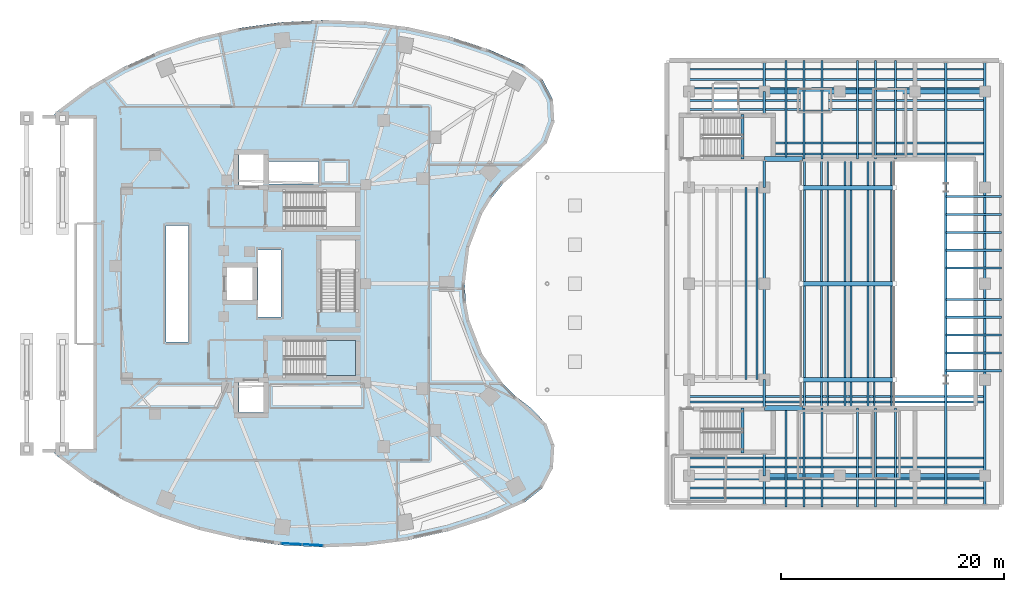
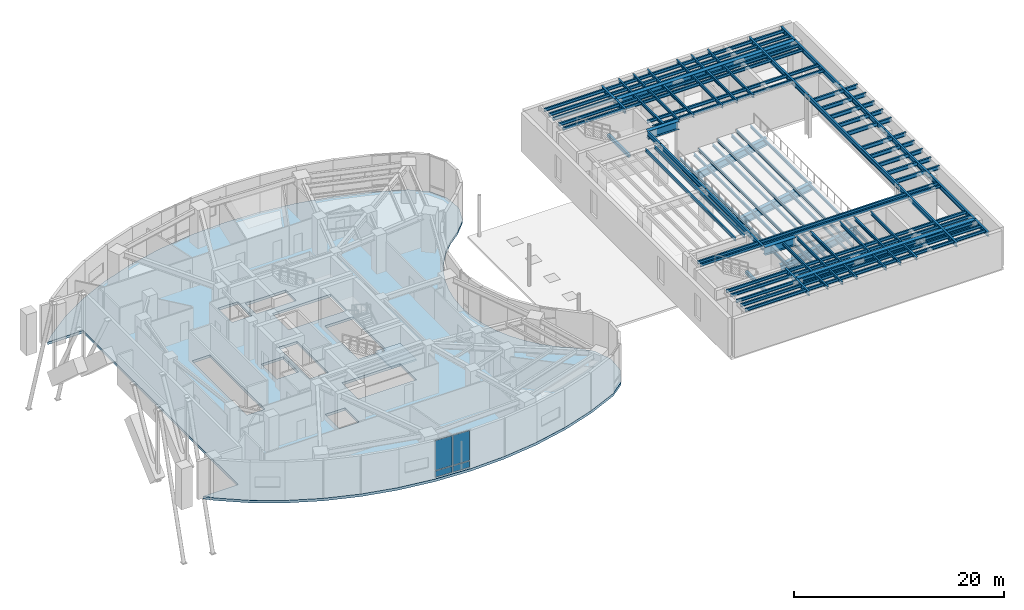
# One storey, part 10 of 24: 72 beams, 4 plates, 2 slabs, 2 elements without a shape of their own.
"""IFC4 building model written with IfcOpenShell, lengths in metres."""

from ifc_helpers import new_model, si_unit, direction, frame, origin, origin_2d, place, context, subcontext, project, spatial, polyline, rectangle, i_section, outline, extrude, material, layer, layer_set, material_profile, profile_set, type_object, element, aggregate, save


model = new_model("IFC4")

# Units and contexts
model_context = context("Model", 3, precision=1e-05, world=origin(), true_north=direction((0.0, 1.0)))
body_context = subcontext(model_context, "Body", "Model", "MODEL_VIEW")
ifc_project = project(units=[si_unit("LENGTHUNIT", "METRE"), si_unit("AREAUNIT", "SQUARE_METRE"), si_unit("VOLUMEUNIT", "CUBIC_METRE"), si_unit("PLANEANGLEUNIT", "RADIAN"), si_unit("MASSUNIT", "GRAM", prefix="KILO")], contexts=[model_context])

# Site, building, storey
site_placement = place(None, origin())
site = spatial("IfcSite", under=ifc_project, at=site_placement, CompositionType="ELEMENT")
building_placement = place(site_placement, origin())
building = spatial("IfcBuilding", under=site, at=building_placement, Name="Korentha Bioscience Tower", CompositionType="ELEMENT")
storey_placement = place(building_placement, frame((0.0, 0.0, 10.199951171875)))
storey = spatial("IfcBuildingStorey", under=building, at=storey_placement, Name="L02", CompositionType="ELEMENT", Elevation=10.199951171875)

# Beams
ifc_material_1 = material(Name="Steel S355", Category="steel")
ifc_material_profile_1 = material_profile(ifc_material_1, i_section(OverallWidth=0.166015625, OverallDepth=0.31298828125, WebThickness=0.006591796875, FlangeThickness=0.01123046875, at=origin_2d()), Name="Steel S355")
ifc_profile_set_1 = profile_set([ifc_material_profile_1], Name="Steel S355 (TS-310)")
beam_type_1 = type_object("IfcBeamType", Name="Auditorium Tier Stringer Beam W310x44.5", PredefinedType="BEAM", material=ifc_profile_set_1)
for number, where, z_axis, x_axis, name in (
    (1, (76.85009765625, 15.85009765625, -0.056396484375), (0.0, 1.0, 0.0), (-1.0, 0.0, 0.0), "L02 Tier Stringer Beam 1F"),
    (2, (78.3798828125, 15.85009765625, -0.056396484375), (0.0, 1.0, 0.0), (-1.0, 0.0, 0.0), "L02 Tier Stringer Beam 1B"),
    (3, (78.929931640625, 15.85009765625, 0.303466796875), (0.0, 1.0, 0.0), (-1.0, 0.0, 0.0), "L02 Tier Stringer Beam 2F"),
    (4, (80.4599609375, 15.85009765625, 0.303466796875), (0.0, 1.0, 0.0), (-1.0, 0.0, 0.0), "L02 Tier Stringer Beam 2B"),
    (5, (81.010009765625, 15.85009765625, 0.66357421875), (0.0, 1.0, 0.0), (-1.0, 0.0, 0.0), "L02 Tier Stringer Beam 3F"),
    (6, (82.5400390625, 15.85009765625, 0.66357421875), (0.0, 1.0, 0.0), (-1.0, 0.0, 0.0), "L02 Tier Stringer Beam 3B"),
    (7, (83.090087890625, 15.85009765625, 1.0234375), (0.0, 1.0, 0.0), (-1.0, 0.0, 0.0), "L02 Tier Stringer Beam 4F"),
    (8, (84.6201171875, 15.85009765625, 1.0234375), (0.0, 1.0, 0.0), (-1.0, 0.0, 0.0), "L02 Tier Stringer Beam 4B"),
):
    element("IfcBeam", number, at=place(storey_placement, frame(where, z_axis=z_axis, x_axis=x_axis)), inside=storey, type_object=beam_type_1, Name=name, PredefinedType="BEAM", context=body_context, shape_type="SweptSolid", body=[
        extrude(i_section(OverallWidth=0.166015625, OverallDepth=0.31298828125, WebThickness=0.006591796875, FlangeThickness=0.01123046875, at=origin_2d()), origin(), (0.0, 0.0, 1.0), 22.2998046875),
    ])
ifc_material_2 = material(Name="Concrete C50", Category="concrete")
ifc_material_profile_2 = material_profile(ifc_material_2, rectangle(XDim=0.280029296875, YDim=0.3798828125, at=origin_2d()), Name="Concrete C50")
ifc_profile_set_2 = profile_set([ifc_material_profile_2], Name="Concrete C50 (ST-HB380)")
beam_type_2 = type_object("IfcBeamType", Name="Concrete Stair Header Beam RC 280x380", PredefinedType="BEAM", material=ifc_profile_set_2)
for number, where, z_axis, x_axis, name in (
    (9, (71.2900390625, 11.85009765625, 2.2099609375), (0.0, 1.0, 0.0), (-1.0, 0.0, 0.0), "L02 ST-T1 Half-Landing Header Beam 1"),
    (10, (71.2900390625, 38.14990234375, 2.2099609375), (0.0, 1.0, 0.0), (-1.0, 0.0, 0.0), "L02 ST-T2 Half-Landing Header Beam 1"),
):
    element("IfcBeam", number, at=place(storey_placement, frame(where, z_axis=z_axis, x_axis=x_axis)), inside=storey, type_object=beam_type_2, Name=name, PredefinedType="BEAM", context=body_context, shape_type="SweptSolid", body=[
        extrude(rectangle(XDim=0.280029296875, YDim=0.3798828125, at=origin_2d()), origin(), (0.0, 0.0, 1.0), 4.0),
    ])
ifc_material_profile_3 = material_profile(ifc_material_1, i_section(OverallWidth=0.208984375, OverallDepth=0.532958984375, WebThickness=0.01025390625, FlangeThickness=0.015625, at=origin_2d()), Name="Steel S355")
ifc_profile_set_3 = profile_set([ifc_material_profile_3], Name="Steel S355 (SB-530)")
beam_type_3 = type_object("IfcBeamType", Name="Perimeter Ring Spandrel Girder W530x92", PredefinedType="SPANDREL", material=ifc_profile_set_3)
beam_1_placement = place(storey_placement, frame((73.25, 7.2099609375, 4.233642578125), z_axis=(0.0, 1.0, 0.0), x_axis=(-1.0, 0.0, 0.0)))
element("IfcBeam", 11, at=beam_1_placement, inside=storey, type_object=beam_type_3, Name="L02 Theatre Collector Girder 2-1", PredefinedType="SPANDREL", context=body_context, shape_type="SweptSolid", body=[
    extrude(i_section(OverallWidth=0.208984375, OverallDepth=0.532958984375, WebThickness=0.01025390625, FlangeThickness=0.015625, at=origin_2d()), origin(), (0.0, 0.0, 1.0), 2.590087890625),
])
beam_2_placement = place(storey_placement, frame((73.25, 9.800048828125, 4.233642578125), z_axis=(0.0, 1.0, 0.0), x_axis=(-1.0, 0.0, 0.0)))
element("IfcBeam", 12, at=beam_2_placement, inside=storey, type_object=beam_type_3, Name="L02 Theatre Collector Girder 2-2", PredefinedType="SPANDREL", context=body_context, shape_type="SweptSolid", body=[
    extrude(i_section(OverallWidth=0.208984375, OverallDepth=0.532958984375, WebThickness=0.01025390625, FlangeThickness=0.015625, at=origin_2d()), origin(), (0.0, 0.0, 1.0), 1.949951171875),
])
beam_3_placement = place(storey_placement, frame((73.25, 15.949951171875, 4.233642578125), z_axis=(0.0, 1.0, 0.0), x_axis=(-1.0, 0.0, 0.0)))
element("IfcBeam", 13, at=beam_3_placement, inside=storey, type_object=beam_type_3, Name="L02 Theatre Collector Girder 2-3", PredefinedType="SPANDREL", context=body_context, shape_type="SweptSolid", body=[
    extrude(i_section(OverallWidth=0.208984375, OverallDepth=0.532958984375, WebThickness=0.01025390625, FlangeThickness=0.015625, at=origin_2d()), origin(), (0.0, 0.0, 1.0), 2.449951171875),
])
for number, where, z_axis, x_axis, name in (
    (14, (73.25, 18.39990234375, 4.233642578125), (0.0, 1.0, 0.0), (-1.0, 0.0, 0.0), "L02 Theatre Collector Girder 2-4"),
    (15, (73.25, 27.0, 4.233642578125), (0.0, 1.0, 0.0), (-1.0, 0.0, 0.0), "L02 Theatre Collector Girder 2-5"),
):
    element("IfcBeam", number, at=place(storey_placement, frame(where, z_axis=z_axis, x_axis=x_axis)), inside=storey, type_object=beam_type_3, Name=name, PredefinedType="SPANDREL", context=body_context, shape_type="SweptSolid", body=[
        extrude(i_section(OverallWidth=0.208984375, OverallDepth=0.532958984375, WebThickness=0.01025390625, FlangeThickness=0.015625, at=origin_2d()), origin(), (0.0, 0.0, 1.0), 8.60009765625),
    ])
beam_4_placement = place(storey_placement, frame((73.25, 35.60009765625, 4.233642578125), z_axis=(0.0, 1.0, 0.0), x_axis=(-1.0, 0.0, 0.0)))
element("IfcBeam", 16, at=beam_4_placement, inside=storey, type_object=beam_type_3, Name="L02 Theatre Collector Girder 2-6", PredefinedType="SPANDREL", context=body_context, shape_type="SweptSolid", body=[
    extrude(i_section(OverallWidth=0.208984375, OverallDepth=0.532958984375, WebThickness=0.01025390625, FlangeThickness=0.015625, at=origin_2d()), origin(), (0.0, 0.0, 1.0), 2.449951171875),
])
beam_5_placement = place(storey_placement, frame((73.25, 42.25, 4.233642578125), z_axis=(0.0, 1.0, 0.0), x_axis=(-1.0, 0.0, 0.0)))
element("IfcBeam", 17, at=beam_5_placement, inside=storey, type_object=beam_type_3, Name="L02 Theatre Collector Girder 2-7", PredefinedType="SPANDREL", context=body_context, shape_type="SweptSolid", body=[
    extrude(i_section(OverallWidth=0.208984375, OverallDepth=0.532958984375, WebThickness=0.01025390625, FlangeThickness=0.015625, at=origin_2d()), origin(), (0.0, 0.0, 1.0), 1.949951171875),
])
beam_6_placement = place(storey_placement, frame((73.25, 44.199951171875, 4.233642578125), z_axis=(0.0, 1.0, 0.0), x_axis=(-1.0, 0.0, 0.0)))
element("IfcBeam", 18, at=beam_6_placement, inside=storey, type_object=beam_type_3, Name="L02 Theatre Collector Girder 2-8", PredefinedType="SPANDREL", context=body_context, shape_type="SweptSolid", body=[
    extrude(i_section(OverallWidth=0.208984375, OverallDepth=0.532958984375, WebThickness=0.01025390625, FlangeThickness=0.015625, at=origin_2d()), origin(), (0.0, 0.0, 1.0), 2.590087890625),
])
beam_7_placement = place(storey_placement, frame((89.5, 7.2099609375, 4.233642578125), z_axis=(0.0, 1.0, 0.0), x_axis=(-1.0, 0.0, 0.0)))
element("IfcBeam", 19, at=beam_7_placement, inside=storey, type_object=beam_type_3, Name="L02 Theatre Collector Girder 3-1", PredefinedType="SPANDREL", context=body_context, shape_type="SweptSolid", body=[
    extrude(i_section(OverallWidth=0.208984375, OverallDepth=0.532958984375, WebThickness=0.01025390625, FlangeThickness=0.015625, at=origin_2d()), origin(), (0.0, 0.0, 1.0), 11.18994140625),
])
beam_8_placement = place(storey_placement, frame((89.5, 18.39990234375, 4.233642578125), z_axis=(0.0, 1.0, 0.0), x_axis=(-1.0, 0.0, 0.0)))
element("IfcBeam", 20, at=beam_8_placement, inside=storey, type_object=beam_type_3, Name="L02 Theatre Collector Girder 3-2", PredefinedType="SPANDREL", context=body_context, shape_type="SweptSolid", body=[
    extrude(i_section(OverallWidth=0.208984375, OverallDepth=0.532958984375, WebThickness=0.01025390625, FlangeThickness=0.015625, at=origin_2d()), origin(), (0.0, 0.0, 1.0), 17.2001953125),
])
beam_9_placement = place(storey_placement, frame((89.5, 35.60009765625, 4.233642578125), z_axis=(0.0, 1.0, 0.0), x_axis=(-1.0, 0.0, 0.0)))
element("IfcBeam", 21, at=beam_9_placement, inside=storey, type_object=beam_type_3, Name="L02 Theatre Collector Girder 3-3", PredefinedType="SPANDREL", context=body_context, shape_type="SweptSolid", body=[
    extrude(i_section(OverallWidth=0.208984375, OverallDepth=0.532958984375, WebThickness=0.01025390625, FlangeThickness=0.015625, at=origin_2d()), origin(), (0.0, 0.0, 1.0), 11.18994140625),
])
beam_10_placement = place(storey_placement, frame((93.0, 7.2099609375, 4.233642578125), z_axis=(0.0, 1.0, 0.0), x_axis=(-1.0, 0.0, 0.0)))
element("IfcBeam", 22, at=beam_10_placement, inside=storey, type_object=beam_type_3, Name="L02 Theatre Collector Girder 4-1", PredefinedType="SPANDREL", context=body_context, shape_type="SweptSolid", body=[
    extrude(i_section(OverallWidth=0.208984375, OverallDepth=0.532958984375, WebThickness=0.01025390625, FlangeThickness=0.015625, at=origin_2d()), origin(), (0.0, 0.0, 1.0), 2.590087890625),
])
beam_11_placement = place(storey_placement, frame((93.0, 9.800048828125, 4.233642578125), z_axis=(0.0, 1.0, 0.0), x_axis=(-1.0, 0.0, 0.0)))
element("IfcBeam", 23, at=beam_11_placement, inside=storey, type_object=beam_type_3, Name="L02 Theatre Collector Girder 4-2", PredefinedType="SPANDREL", context=body_context, shape_type="SweptSolid", body=[
    extrude(i_section(OverallWidth=0.208984375, OverallDepth=0.532958984375, WebThickness=0.01025390625, FlangeThickness=0.015625, at=origin_2d()), origin(), (0.0, 0.0, 1.0), 8.599853515625),
])
for number, where, z_axis, x_axis, name in (
    (24, (93.0, 18.39990234375, 4.233642578125), (0.0, 1.0, 0.0), (-1.0, 0.0, 0.0), "L02 Theatre Collector Girder 4-3"),
    (25, (93.0, 27.0, 4.233642578125), (0.0, 1.0, 0.0), (-1.0, 0.0, 0.0), "L02 Theatre Collector Girder 4-4"),
):
    element("IfcBeam", number, at=place(storey_placement, frame(where, z_axis=z_axis, x_axis=x_axis)), inside=storey, type_object=beam_type_3, Name=name, PredefinedType="SPANDREL", context=body_context, shape_type="SweptSolid", body=[
        extrude(i_section(OverallWidth=0.208984375, OverallDepth=0.532958984375, WebThickness=0.01025390625, FlangeThickness=0.015625, at=origin_2d()), origin(), (0.0, 0.0, 1.0), 8.60009765625),
    ])
beam_12_placement = place(storey_placement, frame((93.0, 35.60009765625, 4.233642578125), z_axis=(0.0, 1.0, 0.0), x_axis=(-1.0, 0.0, 0.0)))
element("IfcBeam", 26, at=beam_12_placement, inside=storey, type_object=beam_type_3, Name="L02 Theatre Collector Girder 4-5", PredefinedType="SPANDREL", context=body_context, shape_type="SweptSolid", body=[
    extrude(i_section(OverallWidth=0.208984375, OverallDepth=0.532958984375, WebThickness=0.01025390625, FlangeThickness=0.015625, at=origin_2d()), origin(), (0.0, 0.0, 1.0), 8.599853515625),
])
beam_13_placement = place(storey_placement, frame((93.0, 44.199951171875, 4.233642578125), z_axis=(0.0, 1.0, 0.0), x_axis=(-1.0, 0.0, 0.0)))
element("IfcBeam", 27, at=beam_13_placement, inside=storey, type_object=beam_type_3, Name="L02 Theatre Collector Girder 4-6", PredefinedType="SPANDREL", context=body_context, shape_type="SweptSolid", body=[
    extrude(i_section(OverallWidth=0.208984375, OverallDepth=0.532958984375, WebThickness=0.01025390625, FlangeThickness=0.015625, at=origin_2d()), origin(), (0.0, 0.0, 1.0), 2.590087890625),
])
ifc_material_profile_4 = material_profile(ifc_material_1, i_section(OverallWidth=0.18994140625, OverallDepth=0.45703125, WebThickness=0.009033203125, FlangeThickness=0.014404296875, at=origin_2d()), Name="Steel S355")
ifc_profile_set_4 = profile_set([ifc_material_profile_4], Name="Steel S355 (RB-460)")
beam_type_4 = type_object("IfcBeamType", Name="Radial Laboratory Beam W460x74", PredefinedType="BEAM", material=ifc_profile_set_4)
for number, where, z_axis, x_axis, name in (
    (28, (89.5, 19.199951171875, 4.271484375), (1.0, 0.0, 0.0), (0.0, 1.0, 0.0), "L02 Stage Fly-Tower Girder 01"),
    (29, (89.5, 20.800048828125, 4.271484375), (1.0, 0.0, 0.0), (0.0, 1.0, 0.0), "L02 Stage Fly-Tower Girder 02"),
    (30, (89.5, 22.39990234375, 4.271484375), (1.0, 0.0, 0.0), (0.0, 1.0, 0.0), "L02 Stage Fly-Tower Girder 03"),
    (31, (89.5, 24.0, 4.271484375), (1.0, 0.0, 0.0), (0.0, 1.0, 0.0), "L02 Stage Fly-Tower Girder 04"),
    (32, (89.5, 25.60009765625, 4.271484375), (1.0, 0.0, 0.0), (0.0, 1.0, 0.0), "L02 Stage Fly-Tower Girder 05"),
    (33, (89.5, 28.39990234375, 4.271484375), (1.0, 0.0, 0.0), (0.0, 1.0, 0.0), "L02 Stage Fly-Tower Girder 06"),
    (34, (89.5, 30.0, 4.271484375), (1.0, 0.0, 0.0), (0.0, 1.0, 0.0), "L02 Stage Fly-Tower Girder 07"),
    (35, (89.5, 31.60009765625, 4.271484375), (1.0, 0.0, 0.0), (0.0, 1.0, 0.0), "L02 Stage Fly-Tower Girder 08"),
    (36, (89.5, 33.199951171875, 4.271484375), (1.0, 0.0, 0.0), (0.0, 1.0, 0.0), "L02 Stage Fly-Tower Girder 09"),
    (37, (89.5, 34.800048828125, 4.271484375), (1.0, 0.0, 0.0), (0.0, 1.0, 0.0), "L02 Stage Fly-Tower Girder 10"),
):
    element("IfcBeam", number, at=place(storey_placement, frame(where, z_axis=z_axis, x_axis=x_axis)), inside=storey, type_object=beam_type_4, Name=name, PredefinedType="BEAM", context=body_context, shape_type="SweptSolid", body=[
        extrude(i_section(OverallWidth=0.18994140625, OverallDepth=0.45703125, WebThickness=0.009033203125, FlangeThickness=0.014404296875, at=origin_2d()), origin(), (0.0, 0.0, 1.0), 5.0),
    ])
ifc_material_profile_5 = material_profile(ifc_material_1, i_section(OverallWidth=0.1708984375, OverallDepth=0.35498046875, WebThickness=0.007080078125, FlangeThickness=0.01171875, at=origin_2d()), Name="Steel S355")
ifc_profile_set_5 = profile_set([ifc_material_profile_5], Name="Steel S355 (JB-360)")
beam_type_5 = type_object("IfcBeamType", Name="Secondary Laboratory Joist W360x51", PredefinedType="JOIST", material=ifc_profile_set_5)
for number, where, z_axis, x_axis, name in (
    (38, (66.5, 7.800048828125, 4.322509765625), (1.0, 0.0, 0.0), (0.0, 1.0, 0.0), "L02 Theatre Wing Secondary Joist 01"),
    (39, (66.5, 8.699951171875, 4.322509765625), (1.0, 0.0, 0.0), (0.0, 1.0, 0.0), "L02 Theatre Wing Secondary Joist 02"),
    (40, (66.5, 9.5, 4.322509765625), (1.0, 0.0, 0.0), (0.0, 1.0, 0.0), "L02 Theatre Wing Secondary Joist 03"),
    (41, (66.5, 10.60009765625, 4.322509765625), (1.0, 0.0, 0.0), (0.0, 1.0, 0.0), "L02 Theatre Wing Secondary Joist 04"),
    (42, (66.5, 11.39990234375, 4.322509765625), (1.0, 0.0, 0.0), (0.0, 1.0, 0.0), "L02 Theatre Wing Secondary Joist 05"),
    (43, (66.5, 16.39990234375, 4.322509765625), (1.0, 0.0, 0.0), (0.0, 1.0, 0.0), "L02 Theatre Wing Secondary Joist 06"),
    (44, (66.5, 16.89990234375, 4.322509765625), (1.0, 0.0, 0.0), (0.0, 1.0, 0.0), "L02 Theatre Wing Secondary Joist 07"),
):
    element("IfcBeam", number, at=place(storey_placement, frame(where, z_axis=z_axis, x_axis=x_axis)), inside=storey, type_object=beam_type_5, Name=name, PredefinedType="JOIST", context=body_context, shape_type="SweptSolid", body=[
        extrude(i_section(OverallWidth=0.1708984375, OverallDepth=0.35498046875, WebThickness=0.007080078125, FlangeThickness=0.01171875, at=origin_2d()), origin(), (0.0, 0.0, 1.0), 26.5),
    ])
for number, where, z_axis, x_axis, name in (
    (45, (74.0400390625, 38.60009765625, 4.322509765625), (1.0, 0.0, 0.0), (0.0, 1.0, 0.0), "L02 Theatre Wing Secondary Joist 08"),
    (46, (74.0400390625, 39.60009765625, 4.322509765625), (1.0, 0.0, 0.0), (0.0, 1.0, 0.0), "L02 Theatre Wing Secondary Joist 09"),
):
    element("IfcBeam", number, at=place(storey_placement, frame(where, z_axis=z_axis, x_axis=x_axis)), inside=storey, type_object=beam_type_5, Name=name, PredefinedType="JOIST", context=body_context, shape_type="SweptSolid", body=[
        extrude(i_section(OverallWidth=0.1708984375, OverallDepth=0.35498046875, WebThickness=0.007080078125, FlangeThickness=0.01171875, at=origin_2d()), origin(), (0.0, 0.0, 1.0), 18.9599609375),
    ])
for number, where, z_axis, x_axis, name in (
    (47, (66.5, 42.60009765625, 4.322509765625), (1.0, 0.0, 0.0), (0.0, 1.0, 0.0), "L02 Theatre Wing Secondary Joist 10"),
    (48, (66.5, 43.39990234375, 4.322509765625), (1.0, 0.0, 0.0), (0.0, 1.0, 0.0), "L02 Theatre Wing Secondary Joist 11"),
    (49, (66.5, 44.5, 4.322509765625), (1.0, 0.0, 0.0), (0.0, 1.0, 0.0), "L02 Theatre Wing Secondary Joist 12"),
    (50, (66.5, 45.300048828125, 4.322509765625), (1.0, 0.0, 0.0), (0.0, 1.0, 0.0), "L02 Theatre Wing Secondary Joist 13"),
    (51, (66.5, 46.199951171875, 4.322509765625), (1.0, 0.0, 0.0), (0.0, 1.0, 0.0), "L02 Theatre Wing Secondary Joist 14"),
):
    element("IfcBeam", number, at=place(storey_placement, frame(where, z_axis=z_axis, x_axis=x_axis)), inside=storey, type_object=beam_type_5, Name=name, PredefinedType="JOIST", context=body_context, shape_type="SweptSolid", body=[
        extrude(i_section(OverallWidth=0.1708984375, OverallDepth=0.35498046875, WebThickness=0.007080078125, FlangeThickness=0.01171875, at=origin_2d()), origin(), (0.0, 0.0, 1.0), 26.5),
    ])
for number, where, z_axis, x_axis, name in (
    (52, (71.60009765625, 18.39990234375, 4.322509765625), (0.0, 1.0, 0.0), (-1.0, 0.0, 0.0), "L02 Theatre Foyer Longitudinal Joist 04"),
    (53, (72.60009765625, 18.39990234375, 4.322509765625), (0.0, 1.0, 0.0), (-1.0, 0.0, 0.0), "L02 Theatre Foyer Longitudinal Joist 05"),
):
    element("IfcBeam", number, at=place(storey_placement, frame(where, z_axis=z_axis, x_axis=x_axis)), inside=storey, type_object=beam_type_5, Name=name, PredefinedType="JOIST", context=body_context, shape_type="SweptSolid", body=[
        extrude(i_section(OverallWidth=0.1708984375, OverallDepth=0.35498046875, WebThickness=0.007080078125, FlangeThickness=0.01171875, at=origin_2d()), origin(), (0.0, 0.0, 1.0), 17.2001953125),
    ])
for number, where, z_axis, x_axis, name in (
    (54, (75.199951171875, 7.0, 4.322509765625), (0.0, 1.0, 0.0), (-1.0, 0.0, 0.0), "L02 South Wing Longitudinal Joist 06"),
    (55, (75.199951171875, 38.340087890625, 4.322509765625), (0.0, 1.0, 0.0), (-1.0, 0.0, 0.0), "L02 North Wing Longitudinal Joist 06"),
):
    element("IfcBeam", number, at=place(storey_placement, frame(where, z_axis=z_axis, x_axis=x_axis)), inside=storey, type_object=beam_type_5, Name=name, PredefinedType="JOIST", context=body_context, shape_type="SweptSolid", body=[
        extrude(i_section(OverallWidth=0.1708984375, OverallDepth=0.35498046875, WebThickness=0.007080078125, FlangeThickness=0.01171875, at=origin_2d()), origin(), (0.0, 0.0, 1.0), 8.659912109375),
    ])
for number, where, z_axis, x_axis, name in (
    (56, (76.800048828125, 7.0, 4.322509765625), (0.0, 1.0, 0.0), (-1.0, 0.0, 0.0), "L02 South Wing Longitudinal Joist 07"),
    (57, (76.800048828125, 38.14990234375, 4.322509765625), (0.0, 1.0, 0.0), (-1.0, 0.0, 0.0), "L02 North Wing Longitudinal Joist 07"),
    (58, (78.39990234375, 7.0, 4.322509765625), (0.0, 1.0, 0.0), (-1.0, 0.0, 0.0), "L02 South Wing Longitudinal Joist 08"),
    (59, (78.39990234375, 38.14990234375, 4.322509765625), (0.0, 1.0, 0.0), (-1.0, 0.0, 0.0), "L02 North Wing Longitudinal Joist 08"),
    (60, (81.60009765625, 7.0, 4.322509765625), (0.0, 1.0, 0.0), (-1.0, 0.0, 0.0), "L02 South Wing Longitudinal Joist 09"),
    (61, (81.60009765625, 38.14990234375, 4.322509765625), (0.0, 1.0, 0.0), (-1.0, 0.0, 0.0), "L02 North Wing Longitudinal Joist 09"),
    (62, (83.199951171875, 7.0, 4.322509765625), (0.0, 1.0, 0.0), (-1.0, 0.0, 0.0), "L02 South Wing Longitudinal Joist 10"),
    (63, (83.199951171875, 38.14990234375, 4.322509765625), (0.0, 1.0, 0.0), (-1.0, 0.0, 0.0), "L02 North Wing Longitudinal Joist 10"),
    (64, (85.0, 7.0, 4.322509765625), (0.0, 1.0, 0.0), (-1.0, 0.0, 0.0), "L02 South Wing Longitudinal Joist 11"),
    (65, (85.0, 38.14990234375, 4.322509765625), (0.0, 1.0, 0.0), (-1.0, 0.0, 0.0), "L02 North Wing Longitudinal Joist 11"),
):
    element("IfcBeam", number, at=place(storey_placement, frame(where, z_axis=z_axis, x_axis=x_axis)), inside=storey, type_object=beam_type_5, Name=name, PredefinedType="JOIST", context=body_context, shape_type="SweptSolid", body=[
        extrude(i_section(OverallWidth=0.1708984375, OverallDepth=0.35498046875, WebThickness=0.007080078125, FlangeThickness=0.01171875, at=origin_2d()), origin(), (0.0, 0.0, 1.0), 8.85009765625),
    ])
ifc_material_profile_6 = material_profile(ifc_material_1, i_section(OverallWidth=0.419921875, OverallDepth=0.85009765625, WebThickness=0.01806640625, FlangeThickness=0.031982421875, at=origin_2d()), Name="Steel S355")
ifc_profile_set_6 = profile_set([ifc_material_profile_6], Name="Steel S355 (TR-850)")
beam_type_6 = type_object("IfcBeamType", Name="Theatre Auditorium Raker Girder CVS 850x315", PredefinedType="USERDEFINED", material=ifc_profile_set_6)
for number, where, z_axis, x_axis, name in (
    (66, (84.949951171875, 18.39990234375, 0.76708984375), (-0.984590221828, 0.0, -0.174877371551), (0.0, -1.0, 0.0), "L02 Auditorium Raker Girder Y18"),
    (67, (84.949951171875, 27.0, 0.76708984375), (-0.984590221828, 0.0, -0.174877371551), (0.0, -1.0, 0.0), "L02 Auditorium Raker Girder Y27"),
    (68, (84.949951171875, 35.60009765625, 0.76708984375), (-0.984590221828, 0.0, -0.174877371551), (0.0, -1.0, 0.0), "L02 Auditorium Raker Girder Y35"),
):
    element("IfcBeam", number, at=place(storey_placement, frame(where, z_axis=z_axis, x_axis=x_axis)), inside=storey, type_object=beam_type_6, Name=name, ObjectType="RAKER", PredefinedType="USERDEFINED", context=body_context, shape_type="SweptSolid", body=[
        extrude(i_section(OverallWidth=0.419921875, OverallDepth=0.85009765625, WebThickness=0.01806640625, FlangeThickness=0.031982421875, at=origin_2d()), origin(), (0.0, 0.0, 1.0), 8.53125),
    ])
ifc_material_profile_7 = material_profile(ifc_material_1, i_section(OverallWidth=0.449951171875, OverallDepth=0.949951171875, WebThickness=0.02001953125, FlangeThickness=0.034912109375, at=origin_2d()), Name="Steel S355")
ifc_profile_set_7 = profile_set([ifc_material_profile_7], Name="Steel S355 (TB-950)")
beam_type_7 = type_object("IfcBeamType", Name="Theatre Primary Girder CVS 950x374", PredefinedType="BEAM", material=ifc_profile_set_7)
for number, where, z_axis, x_axis, name in (
    (69, (73.25, 15.85009765625, 4.025146484375), (1.0, 0.0, 0.0), (0.0, 1.0, 0.0), "L02 Theatre Corridor Header Girder S"),
    (70, (73.25, 38.14990234375, 4.025146484375), (1.0, 0.0, 0.0), (0.0, 1.0, 0.0), "L02 Theatre Corridor Header Girder N"),
):
    element("IfcBeam", number, at=place(storey_placement, frame(where, z_axis=z_axis, x_axis=x_axis)), inside=storey, type_object=beam_type_7, Name=name, PredefinedType="BEAM", context=body_context, shape_type="SweptSolid", body=[
        extrude(i_section(OverallWidth=0.449951171875, OverallDepth=0.949951171875, WebThickness=0.02001953125, FlangeThickness=0.034912109375, at=origin_2d()), origin(), (0.0, 0.0, 1.0), 3.39990234375),
    ])
for number, where, z_axis, x_axis, name in (
    (71, (73.25, 9.800048828125, 4.025146484375), (1.0, 0.0, 0.0), (0.0, 1.0, 0.0), "L02 Theatre Long-Span Girder 1"),
    (72, (73.25, 44.199951171875, 4.025146484375), (1.0, 0.0, 0.0), (0.0, 1.0, 0.0), "L02 Theatre Long-Span Girder 5"),
):
    element("IfcBeam", number, at=place(storey_placement, frame(where, z_axis=z_axis, x_axis=x_axis)), inside=storey, type_object=beam_type_7, Name=name, PredefinedType="BEAM", context=body_context, shape_type="SweptSolid", body=[
        extrude(i_section(OverallWidth=0.449951171875, OverallDepth=0.949951171875, WebThickness=0.02001953125, FlangeThickness=0.034912109375, at=origin_2d()), origin(), (0.0, 0.0, 1.0), 19.75),
    ])

# Curtain wall, plates
ifc_material_3 = material(Name="Stone-Clad Aluminium Frame", Category="masonry")
ifc_layer_1 = layer(ifc_material_3, 0.219970703125, Name="Stone-Clad Aluminium Frame")
ifc_layer_set_1 = layer_set([ifc_layer_1], Name="Stone-Clad Aluminium Frame (CW-P1)")
curtain_wall_type = type_object("IfcCurtainWallType", Name="Podium Double-Height Stone-Mullion Curtain Wall CW-P1", PredefinedType="USERDEFINED", material=ifc_layer_set_1)
curtain_wall_placement = place(storey_placement, origin())
curtain_wall = element("IfcCurtainWall", 73, at=curtain_wall_placement, inside=storey, type_object=curtain_wall_type, Name="L02 Curtain Wall 31", ObjectType="UNITISED", PredefinedType="USERDEFINED")
ifc_material_4 = material(Name="Triple-Glazed Low-E Insulated Glass", Category="glass")
ifc_layer_2 = layer(ifc_material_4, 0.0439453125, Name="Triple-Glazed Low-E Insulated Glass")
ifc_layer_set_2 = layer_set([ifc_layer_2], Name="Triple-Glazed Low-E Insulated Glass (GL-44)")
plate_type = type_object("IfcPlateType", Name="Glazed Panel 44mm", PredefinedType="CURTAIN_PANEL", material=ifc_layer_set_2)
plate_1_placement = place(storey_placement, frame((30.90478515625, 3.70458984375, 0.08984375), z_axis=(0.0, 0.0, 1.0), x_axis=(0.998730551641, -0.050371472279, 0.0)))
plate_1 = element("IfcPlate", 74, at=plate_1_placement, type_object=plate_type, Name="CW-L02-31 Bay 1 Glazed Panel 1", PredefinedType="CURTAIN_PANEL", context=body_context, shape_type="SweptSolid", body=[
    extrude(rectangle(XDim=1.8134765625, YDim=0.0439453125, at=origin_2d()), origin(), (0.0, 0.0, 1.0), 0.715087890625),
])
plate_2_placement = place(storey_placement, frame((30.90478515625, 3.70458984375, 0.89501953125), z_axis=(0.0, 0.0, 1.0), x_axis=(0.998730551641, -0.050371472279, 0.0)))
plate_2 = element("IfcPlate", 75, at=plate_2_placement, type_object=plate_type, Name="CW-L02-31 Bay 1 Glazed Panel 2", PredefinedType="CURTAIN_PANEL", context=body_context, shape_type="SweptSolid", body=[
    extrude(rectangle(XDim=1.8134765625, YDim=0.0439453125, at=origin_2d()), origin(), (0.0, 0.0, 1.0), 3.465087890625),
])
plate_3_placement = place(storey_placement, frame((32.805908203125, 3.608642578125, 0.08984375), z_axis=(0.0, 0.0, 1.0), x_axis=(0.998730551641, -0.050371472279, 0.0)))
plate_3 = element("IfcPlate", 76, at=plate_3_placement, type_object=plate_type, Name="CW-L02-31 Bay 2 Glazed Panel 1", PredefinedType="CURTAIN_PANEL", context=body_context, shape_type="SweptSolid", body=[
    extrude(rectangle(XDim=1.8134765625, YDim=0.0439453125, at=origin_2d()), origin(), (0.0, 0.0, 1.0), 0.715087890625),
])
plate_4_placement = place(storey_placement, frame((32.805908203125, 3.608642578125, 0.89501953125), z_axis=(0.0, 0.0, 1.0), x_axis=(0.998730551641, -0.050371472279, 0.0)))
plate_4 = element("IfcPlate", 77, at=plate_4_placement, type_object=plate_type, Name="CW-L02-31 Bay 2 Glazed Panel 2", PredefinedType="CURTAIN_PANEL", context=body_context, shape_type="SweptSolid", body=[
    extrude(rectangle(XDim=1.8134765625, YDim=0.0439453125, at=origin_2d()), origin(), (0.0, 0.0, 1.0), 3.465087890625),
])
aggregate(curtain_wall, [plate_1, plate_2, plate_3, plate_4])

# Stair, slab
ifc_material_5 = material(Name="Precast Concrete C50", Category="concrete")
stair_type = type_object("IfcStairType", Name="Core Exit Dog-Leg Stair 1450", PredefinedType="HALF_TURN_STAIR", material=ifc_material_5)
stair_placement = place(storey_placement, origin())
stair = element("IfcStair", 78, at=stair_placement, inside=storey, type_object=stair_type, Name="L02 Tower South Pressurized Exit Stair ST-2", PredefinedType="HALF_TURN_STAIR")
ifc_layer_3 = layer(ifc_material_2, 0.199951171875, Name="Concrete C50")
ifc_layer_set_3 = layer_set([ifc_layer_3], Name="Concrete C50 (SL-LND)")
slab_type_1 = type_object("IfcSlabType", Name="Landing Slab 200", PredefinedType="LANDING", material=ifc_layer_set_3)
slab_1_placement = place(storey_placement, frame((0.0, 0.0, 2.199951171875)))
slab_1 = element("IfcSlab", 79, at=slab_1_placement, type_object=slab_type_1, Name="ST-2 landing 1", PredefinedType="LANDING", context=body_context, shape_type="SweptSolid", body=[
    extrude(outline(polyline([(33.889892578125, 18.800048828125), (36.64990234375, 18.800048828125), (36.64990234375, 21.89990234375), (33.889892578125, 21.89990234375), (33.889892578125, 18.800048828125)])), origin(), (0.0, 0.0, 1.0), 0.2001953125),
])
aggregate(stair, [slab_1])

# Slab
ifc_layer_4 = layer(ifc_material_2, 0.320068359375, Name="Concrete C50")
ifc_layer_set_4 = layer_set([ifc_layer_4], Name="Concrete C50 (SL-P320)")
slab_type_2 = type_object("IfcSlabType", Name="Podium Ground Structural Slab 320", PredefinedType="FLOOR", material=ifc_layer_set_4)
slab_2_placement = place(storey_placement, frame((0.0, 0.0, -0.300048828125)))
element("IfcSlab", 80, at=slab_2_placement, inside=storey, type_object=slab_type_2, Name="L02 Tower Structural Floor Slab", PredefinedType="FLOOR", context=body_context, shape_type="SweptSolid", body=[
    extrude(outline(polyline([(9.29736328125, 41.800048828125), (13.199951171875, 41.800048828125), (13.199951171875, 12.199951171875), (9.29736328125, 12.199951171875), (10.1220703125, 11.41357421875), (12.8134765625, 9.400634765625), (15.810791015625, 7.641845703125), (19.07080078125, 6.162353515625), (22.54638671875, 4.98388671875), (26.187255859375, 4.123291015625), (29.94091796875, 3.593017578125), (33.75341796875, 3.400634765625), (37.569091796875, 3.549072265625), (41.33349609375, 4.0361328125), (44.9921875, 4.854736328125), (48.49169921875, 5.9931640625), (51.7822265625, 7.434814453125), (53.368408203125, 8.69775390625), (54.307373046875, 10.4951171875), (54.4384765625, 12.518310546875), (53.739013671875, 14.421630859375), (52.3291015625, 15.878662109375), (51.029541015625, 16.875732421875), (49.861328125, 18.023681640625), (48.841796875, 19.3056640625), (47.98583984375, 20.7021484375), (47.306640625, 22.192626953125), (46.814208984375, 23.754638671875), (46.515625, 25.365234375), (46.415771484375, 27.0), (46.515625, 28.634765625), (46.814208984375, 30.245361328125), (47.306640625, 31.807373046875), (47.98583984375, 33.2978515625), (48.841796875, 34.6943359375), (49.861328125, 35.976318359375), (51.029541015625, 37.124267578125), (52.3291015625, 38.121337890625), (53.739013671875, 39.578369140625), (54.4384765625, 41.481689453125), (54.307373046875, 43.5048828125), (53.368408203125, 45.30224609375), (51.7822265625, 46.565185546875), (48.49169921875, 48.0068359375), (44.9921875, 49.145263671875), (41.33349609375, 49.9638671875), (37.569091796875, 50.450927734375), (33.75341796875, 50.599365234375), (29.94091796875, 50.406982421875), (26.187255859375, 49.876708984375), (22.54638671875, 49.01611328125), (19.07080078125, 47.837646484375), (15.810791015625, 46.358154296875), (12.8134765625, 44.599365234375), (10.1220703125, 42.58642578125), (9.29736328125, 41.800048828125)]), holes=[polyline([(30.25, 32.10009765625), (36.64990234375, 32.10009765625), (36.64990234375, 35.199951171875), (30.25, 35.199951171875), (30.25, 32.10009765625)]), polyline([(30.25, 18.800048828125), (36.64990234375, 18.800048828125), (36.64990234375, 21.89990234375), (30.25, 21.89990234375), (30.25, 18.800048828125)]), polyline([(36.64990234375, 24.550048828125), (36.64990234375, 30.89990234375), (33.550048828125, 30.89990234375), (33.550048828125, 24.550048828125), (36.64990234375, 24.550048828125)]), polyline([(19.679931640625, 21.780029296875), (21.669921875, 21.780029296875), (21.669921875, 32.219970703125), (19.679931640625, 32.219970703125), (19.679931640625, 21.780029296875)]), polyline([(27.929931640625, 24.030029296875), (29.969970703125, 24.030029296875), (29.969970703125, 30.02001953125), (27.929931640625, 30.02001953125), (27.929931640625, 24.030029296875)]), polyline([(28.860107421875, 35.93994140625), (33.31005859375, 35.93994140625), (33.31005859375, 37.9599609375), (28.860107421875, 37.9599609375), (28.860107421875, 35.93994140625)]), polyline([(26.199951171875, 15.449951171875), (28.39990234375, 15.449951171875), (28.39990234375, 18.14990234375), (26.199951171875, 18.14990234375), (26.199951171875, 15.449951171875)]), polyline([(26.199951171875, 35.85009765625), (28.39990234375, 35.85009765625), (28.39990234375, 38.550048828125), (26.199951171875, 38.550048828125), (26.199951171875, 35.85009765625)]), polyline([(25.14990234375, 25.550048828125), (27.550048828125, 25.550048828125), (27.550048828125, 28.449951171875), (25.14990234375, 28.449951171875), (25.14990234375, 25.550048828125)])]), origin(), (0.0, 0.0, 1.0), 0.300048828125),
])

save(model, "model.ifc")
